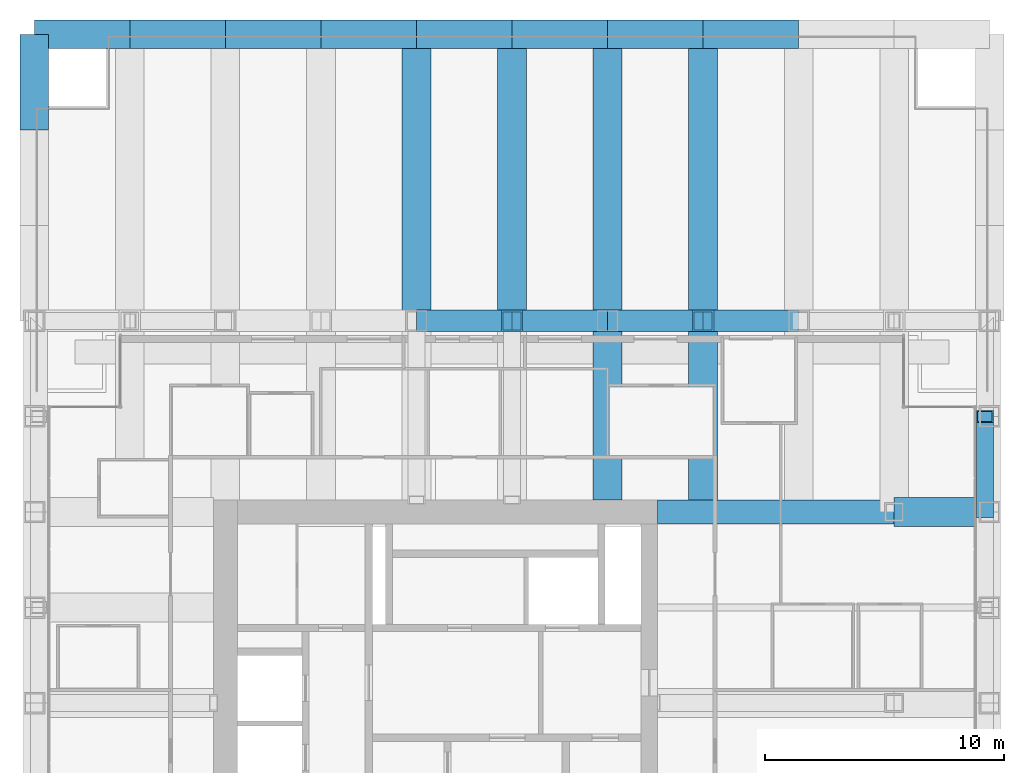
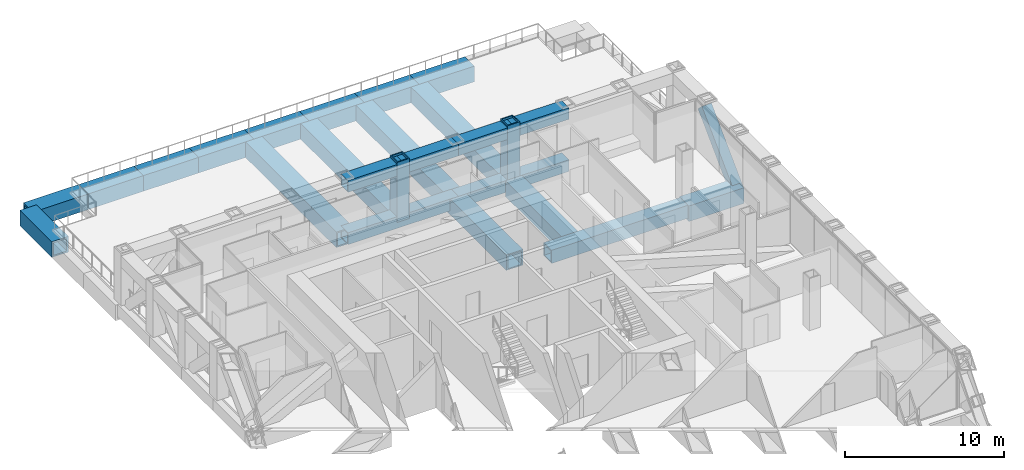
# One storey, part 8 of 17: 23 beams, 3 members.
"""IFC4 building model written with IfcOpenShell, lengths in metres."""

from ifc_helpers import new_model, si_unit, direction, frame, origin, origin_2d, place, context, subcontext, project, spatial, hollow_rectangle, extrude, material, material_profile, profile_set, type_object, element, save


model = new_model("IFC4")

# Units and contexts
model_context = context("Model", 3, precision=1e-05, world=origin(), true_north=direction((0.0, 1.0)))
body_context = subcontext(model_context, "Body", "Model", "MODEL_VIEW")
ifc_project = project(units=[si_unit("LENGTHUNIT", "METRE"), si_unit("AREAUNIT", "SQUARE_METRE"), si_unit("VOLUMEUNIT", "CUBIC_METRE"), si_unit("PLANEANGLEUNIT", "RADIAN"), si_unit("MASSUNIT", "GRAM", prefix="KILO")], contexts=[model_context])

# Site, building, storey
site_placement = place(None, origin())
site = spatial("IfcSite", under=ifc_project, at=site_placement, CompositionType="ELEMENT")
building_placement = place(site_placement, origin())
building = spatial("IfcBuilding", under=site, at=building_placement, Name="Rimbunsela Tower", CompositionType="ELEMENT")
storey_placement = place(building_placement, frame((0.0, 0.0, 238.199951171875)))
storey = spatial("IfcBuildingStorey", under=building, at=storey_placement, Name="L57", CompositionType="ELEMENT", Elevation=238.199951171875)

# Beams
ifc_material_1 = material(Name="Steel BJ 55 (fy 410 MPa)", Category="steel")
ifc_material_profile_1 = material_profile(ifc_material_1, hollow_rectangle(XDim=1.0, YDim=1.0, WallThickness=0.10009765625, at=origin_2d()), Name="BOX 1000x1000x100")
ifc_profile_set_1 = profile_set([ifc_material_profile_1], Name="Steel BJ 55 (fy 410 MPa)")
beam_type_1 = type_object("IfcBeamType", Name="Beam BOX 1000x1000x100", PredefinedType="BEAM", material=ifc_profile_set_1)
beam_1_placement = place(storey_placement, frame((36.10009765625, 36.0, -0.64990234375), z_axis=(1.0, 0.0, 0.0), x_axis=(0.0, 1.0, 0.0)))
element("IfcBeam", 1, at=beam_1_placement, inside=storey, type_object=beam_type_1, Name="Beam B3 L57", PredefinedType="BEAM", context=body_context, shape_type="SweptSolid", body=[
    extrude(hollow_rectangle(XDim=1.0, YDim=1.0, WallThickness=0.10009765625, at=origin_2d()), origin(), (0.0, 0.0, 1.0), 9.89990234375),
])
ifc_material_2 = material(Name="Steel BJ 55 (fy 410 MPa)", Category="steel")
ifc_material_profile_2 = material_profile(ifc_material_2, hollow_rectangle(XDim=1.199951171875, YDim=1.199951171875, WallThickness=0.10009765625, at=origin_2d()), Name="BOX 1200x1200x100")
ifc_profile_set_2 = profile_set([ifc_material_profile_2], Name="Steel BJ 55 (fy 410 MPa)")
beam_type_2 = type_object("IfcBeamType", Name="Beam BOX 1200x1200x100", PredefinedType="BEAM", material=ifc_profile_set_2)
beam_2_placement = place(storey_placement, frame((26.0, 44.0, -0.75), z_axis=(0.0, 1.0, 0.0), x_axis=(-1.0, 0.0, 0.0)))
element("IfcBeam", 2, at=beam_2_placement, inside=storey, type_object=beam_type_2, Name="Beam B5 L57", PredefinedType="BEAM", context=body_context, shape_type="SweptSolid", body=[
    extrude(hollow_rectangle(XDim=1.199951171875, YDim=1.199951171875, WallThickness=0.10009765625, at=origin_2d()), origin(), (0.0, 0.0, 1.0), 12.0),
])
beam_3_placement = place(storey_placement, frame((30.0, 44.449951171875, -0.75), z_axis=(0.0, 1.0, 0.0), x_axis=(-1.0, 0.0, 0.0)))
element("IfcBeam", 3, at=beam_3_placement, inside=storey, type_object=beam_type_2, Name="Beam B5 L57", PredefinedType="BEAM", context=body_context, shape_type="SweptSolid", body=[
    extrude(hollow_rectangle(XDim=1.199951171875, YDim=1.199951171875, WallThickness=0.10009765625, at=origin_2d()), origin(), (0.0, 0.0, 1.0), 11.550048828125),
])
beam_4_placement = place(storey_placement, frame((34.0, 36.5, -0.75), z_axis=(0.0, 1.0, 0.0), x_axis=(-1.0, 0.0, 0.0)))
element("IfcBeam", 4, at=beam_4_placement, inside=storey, type_object=beam_type_2, Name="Beam B5 L57", PredefinedType="BEAM", context=body_context, shape_type="SweptSolid", body=[
    extrude(hollow_rectangle(XDim=1.199951171875, YDim=1.199951171875, WallThickness=0.10009765625, at=origin_2d()), origin(), (0.0, 0.0, 1.0), 7.5),
])
beam_5_placement = place(storey_placement, frame((34.0, 44.0, -0.75), z_axis=(0.0, 1.0, 0.0), x_axis=(-1.0, 0.0, 0.0)))
element("IfcBeam", 5, at=beam_5_placement, inside=storey, type_object=beam_type_2, Name="Beam B5 L57", PredefinedType="BEAM", context=body_context, shape_type="SweptSolid", body=[
    extrude(hollow_rectangle(XDim=1.199951171875, YDim=1.199951171875, WallThickness=0.10009765625, at=origin_2d()), origin(), (0.0, 0.0, 1.0), 12.0),
])
beam_6_placement = place(storey_placement, frame((38.0, 36.5, -0.75), z_axis=(0.0, 1.0, 0.0), x_axis=(-1.0, 0.0, 0.0)))
element("IfcBeam", 6, at=beam_6_placement, inside=storey, type_object=beam_type_2, Name="Beam B5 L57", PredefinedType="BEAM", context=body_context, shape_type="SweptSolid", body=[
    extrude(hollow_rectangle(XDim=1.199951171875, YDim=1.199951171875, WallThickness=0.10009765625, at=origin_2d()), origin(), (0.0, 0.0, 1.0), 7.050048828125),
])
beam_7_placement = place(storey_placement, frame((38.0, 44.449951171875, -0.75), z_axis=(0.0, 1.0, 0.0), x_axis=(-1.0, 0.0, 0.0)))
element("IfcBeam", 7, at=beam_7_placement, inside=storey, type_object=beam_type_2, Name="Beam B5 L57", PredefinedType="BEAM", context=body_context, shape_type="SweptSolid", body=[
    extrude(hollow_rectangle(XDim=1.199951171875, YDim=1.199951171875, WallThickness=0.10009765625, at=origin_2d()), origin(), (0.0, 0.0, 1.0), 11.550048828125),
])
ifc_material_3 = material(Name="Steel BJ 55 (fy 410 MPa)", Category="steel")
ifc_material_profile_3 = material_profile(ifc_material_3, hollow_rectangle(XDim=1.199951171875, YDim=1.199951171875, WallThickness=0.125, at=origin_2d()), Name="BOX 1200x1200x125")
ifc_profile_set_3 = profile_set([ifc_material_profile_3], Name="Steel BJ 55 (fy 410 MPa)")
beam_type_3 = type_object("IfcBeamType", Name="Beam BOX 1200x1200x125", PredefinedType="BEAM", material=ifc_profile_set_3)
for number, where, z_axis, x_axis, name in (
    (8, (10.0, 52.0, -0.75), (0.0, 1.0, 0.0), (-1.0, 0.0, 0.0), "Beam B4 L57"),
    (9, (10.0, 56.0, -0.75), (1.0, 0.0, 0.0), (0.0, 1.0, 0.0), "Beam B4 L57"),
    (10, (14.0, 56.0, -0.75), (1.0, 0.0, 0.0), (0.0, 1.0, 0.0), "Beam B4 L57"),
    (11, (18.0, 56.0, -0.75), (1.0, 0.0, 0.0), (0.0, 1.0, 0.0), "Beam B4 L57"),
    (12, (22.0, 56.0, -0.75), (1.0, 0.0, 0.0), (0.0, 1.0, 0.0), "Beam B4 L57"),
    (13, (26.0, 56.0, -0.75), (1.0, 0.0, 0.0), (0.0, 1.0, 0.0), "Beam B4 L57"),
    (14, (30.0, 56.0, -0.75), (1.0, 0.0, 0.0), (0.0, 1.0, 0.0), "Beam B4 L57"),
    (15, (34.0, 56.0, -0.75), (1.0, 0.0, 0.0), (0.0, 1.0, 0.0), "Beam B4 L57"),
    (16, (38.0, 56.0, -0.75), (1.0, 0.0, 0.0), (0.0, 1.0, 0.0), "Beam B4 L57"),
    (17, (46.0, 36.0, -0.75), (1.0, 0.0, 0.0), (0.0, 1.0, 0.0), "Beam B4 L57"),
):
    element("IfcBeam", number, at=place(storey_placement, frame(where, z_axis=z_axis, x_axis=x_axis)), inside=storey, type_object=beam_type_3, Name=name, PredefinedType="BEAM", context=body_context, shape_type="SweptSolid", body=[
        extrude(hollow_rectangle(XDim=1.199951171875, YDim=1.199951171875, WallThickness=0.125, at=origin_2d()), origin(), (0.0, 0.0, 1.0), 4.0),
    ])
ifc_material_4 = material(Name="Steel BJ 55 (fy 410 MPa)", Category="steel")
ifc_material_profile_4 = material_profile(ifc_material_4, hollow_rectangle(XDim=0.89990234375, YDim=0.89990234375, WallThickness=0.06005859375, at=origin_2d()), Name="BOX 900x900x60")
ifc_profile_set_4 = profile_set([ifc_material_profile_4], Name="Steel BJ 55 (fy 410 MPa)")
beam_type_4 = type_object("IfcBeamType", Name="Truss chord BOX 900x900x60", PredefinedType="USERDEFINED", material=ifc_profile_set_4)
for number, where, z_axis, x_axis, name in (
    (18, (26.0, 44.0, 3.400146484375), (1.0, 0.0, 0.0), (0.0, 1.0, 0.0), "Truss top chord TC4 N face L57"),
    (19, (30.0, 44.0, 3.400146484375), (1.0, 0.0, 0.0), (0.0, 1.0, 0.0), "Truss top chord TC4 N face L57"),
    (20, (34.0, 44.0, 3.400146484375), (1.0, 0.0, 0.0), (0.0, 1.0, 0.0), "Truss top chord TC4 N face L57"),
    (21, (38.0, 44.0, 3.400146484375), (1.0, 0.0, 0.0), (0.0, 1.0, 0.0), "Truss top chord TC4 N face L57"),
):
    element("IfcBeam", number, at=place(storey_placement, frame(where, z_axis=z_axis, x_axis=x_axis)), inside=storey, type_object=beam_type_4, Name=name, ObjectType="TRUSS CHORD", PredefinedType="USERDEFINED", context=body_context, shape_type="SweptSolid", body=[
        extrude(hollow_rectangle(XDim=0.89990234375, YDim=0.89990234375, WallThickness=0.06005859375, at=origin_2d()), origin(), (0.0, 0.0, 1.0), 4.0),
    ])
for number, where, z_axis, x_axis, name in (
    (22, (26.0, 44.0, -0.599853515625), (1.0, 0.0, 0.0), (0.0, 1.0, 0.0), "Truss bottom chord TC4 N face L57"),
    (23, (34.0, 44.0, -0.599853515625), (1.0, 0.0, 0.0), (0.0, 1.0, 0.0), "Truss bottom chord TC4 N face L57"),
):
    element("IfcBeam", number, at=place(storey_placement, frame(where, z_axis=z_axis, x_axis=x_axis)), inside=storey, type_object=beam_type_4, Name=name, ObjectType="TRUSS CHORD", PredefinedType="USERDEFINED", context=body_context, shape_type="SweptSolid", body=[
        extrude(hollow_rectangle(XDim=0.89990234375, YDim=0.89990234375, WallThickness=0.06005859375, at=origin_2d()), origin(), (0.0, 0.0, 1.0), 8.0),
    ])

# Members
ifc_material_5 = material(Name="Steel BJ 55 (fy 410 MPa)", Category="steel")
ifc_material_profile_5 = material_profile(ifc_material_5, hollow_rectangle(XDim=0.699951171875, YDim=0.699951171875, WallThickness=0.050048828125, at=origin_2d()), Name="BOX 700x700x50")
ifc_profile_set_5 = profile_set([ifc_material_profile_5], Name="Steel BJ 55 (fy 410 MPa)")
member_type_1 = type_object("IfcMemberType", Name="Truss diagonal BOX 700x700x50", PredefinedType="BRACE", material=ifc_profile_set_5)
member_placement = place(storey_placement, frame((49.800048828125, 36.0, -0.599853515625), z_axis=(0.0, 0.707106781187, 0.707106781187), x_axis=(-1.0, 0.0, 0.0)))
element("IfcMember", 24, at=member_placement, inside=storey, type_object=member_type_1, Name="Truss diagonal TD4 E face L57", PredefinedType="BRACE", context=body_context, shape_type="SweptSolid", body=[
    extrude(hollow_rectangle(XDim=0.699951171875, YDim=0.699951171875, WallThickness=0.050048828125, at=origin_2d()), origin(), (0.0, 0.0, 1.0), 5.65673828125),
])
ifc_material_6 = material(Name="Steel BJ 55 (fy 410 MPa)", Category="steel")
ifc_material_profile_6 = material_profile(ifc_material_6, hollow_rectangle(XDim=0.89990234375, YDim=0.89990234375, WallThickness=0.080078125, at=origin_2d()), Name="BOX 900x900x80")
ifc_profile_set_6 = profile_set([ifc_material_profile_6], Name="Steel BJ 55 (fy 410 MPa)")
member_type_2 = type_object("IfcMemberType", Name="Truss post BOX 900x900x80", PredefinedType="POST", material=ifc_profile_set_6)
for number, where, z_axis, x_axis, name in (
    (25, (30.0, 44.0, -0.599853515625), (0.0, 0.0, 1.0), (1.0, 0.0, 0.0), "Truss post TP3 10/N L57"),
    (26, (38.0, 44.0, -0.599853515625), (0.0, 0.0, 1.0), (1.0, 0.0, 0.0), "Truss post TP3 12/N L57"),
):
    element("IfcMember", number, at=place(storey_placement, frame(where, z_axis=z_axis, x_axis=x_axis)), inside=storey, type_object=member_type_2, Name=name, PredefinedType="POST", context=body_context, shape_type="SweptSolid", body=[
        extrude(hollow_rectangle(XDim=0.89990234375, YDim=0.89990234375, WallThickness=0.080078125, at=origin_2d()), origin(), (0.0, 0.0, 1.0), 4.599853515625),
    ])

save(model, "model.ifc")
